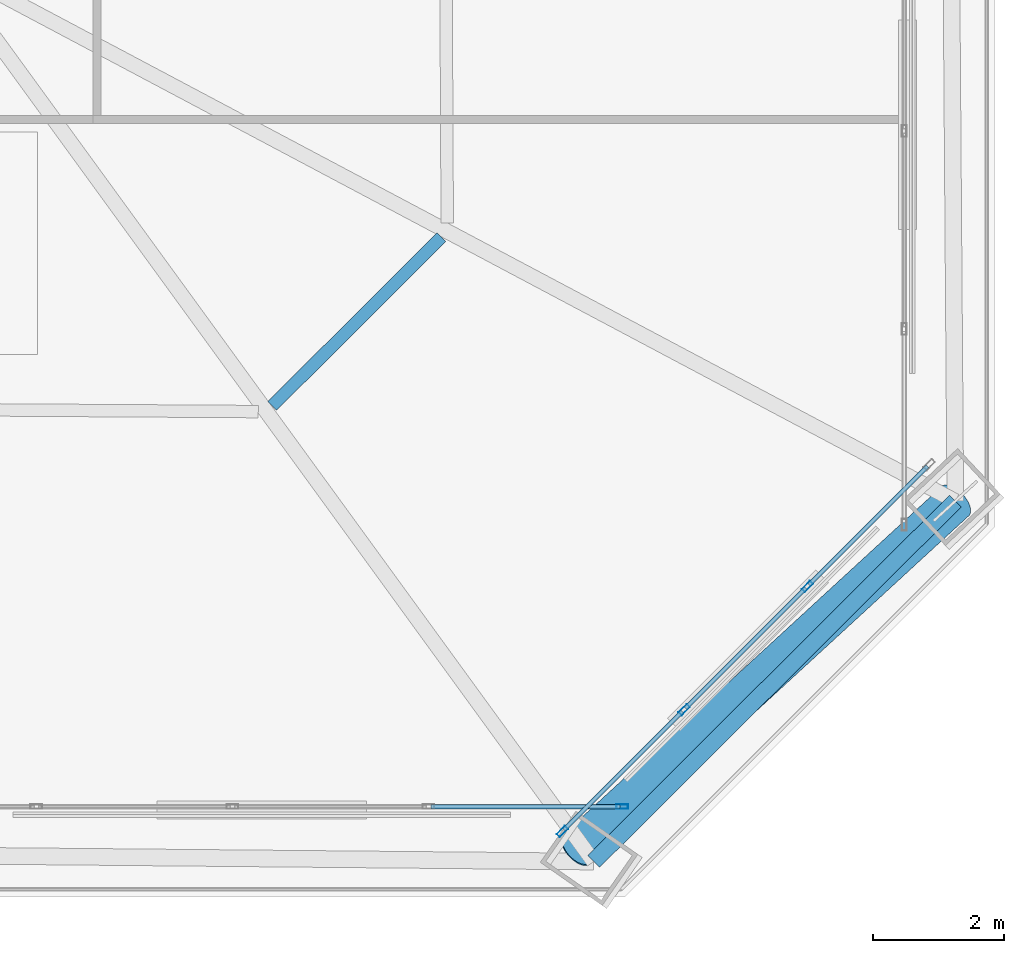
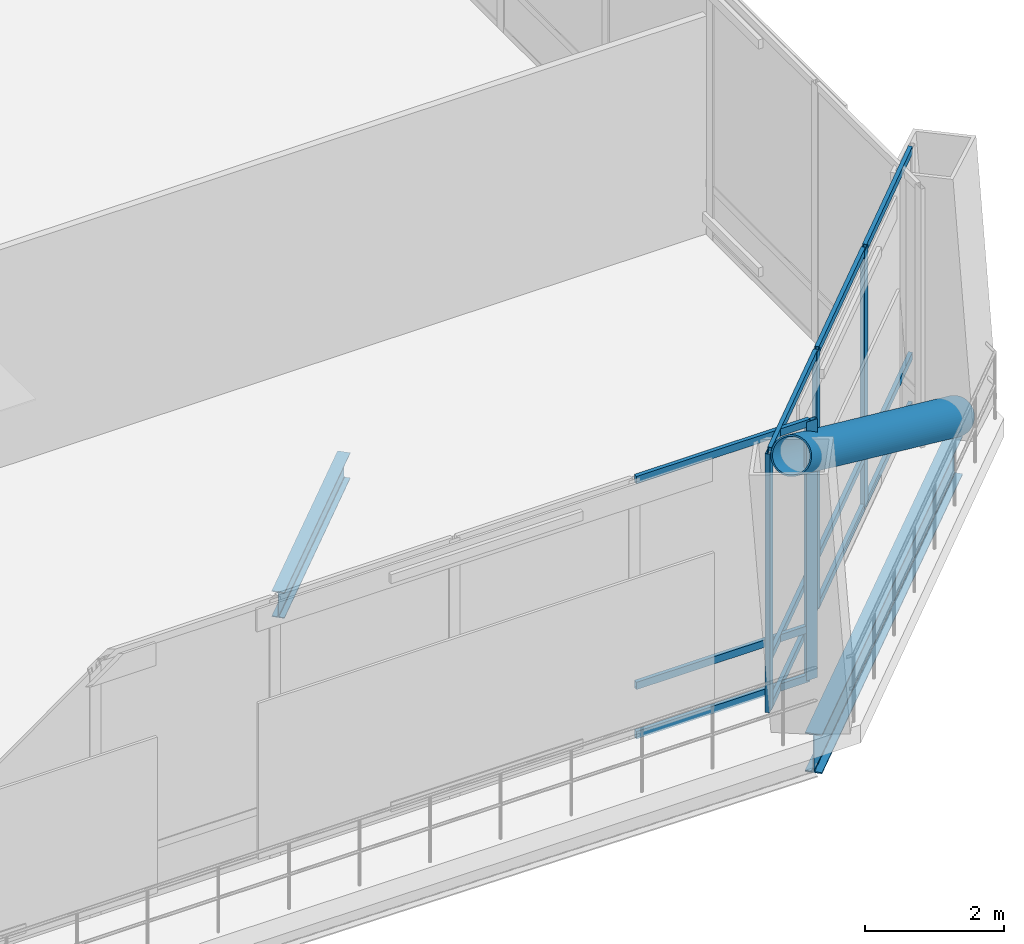
# One storey, part 20 of 48: 17 members, 2 beams, 2 elements without a shape of their own.
"""IFC4 building model written with IfcOpenShell, lengths in metres."""

from ifc_helpers import new_model, si_unit, direction, frame, origin, origin_2d, place, context, subcontext, project, spatial, hollow_rectangle, hollow_circle, i_section, extrude, material, layer, layer_set, material_profile, profile_set, type_object, element, aggregate, save


model = new_model("IFC4")

# Units and contexts
model_context = context("Model", 3, precision=1e-05, world=origin(), true_north=direction((0.0, 1.0)))
body_context = subcontext(model_context, "Body", "Model", "MODEL_VIEW")
ifc_project = project(units=[si_unit("LENGTHUNIT", "METRE"), si_unit("AREAUNIT", "SQUARE_METRE"), si_unit("VOLUMEUNIT", "CUBIC_METRE"), si_unit("PLANEANGLEUNIT", "RADIAN"), si_unit("MASSUNIT", "GRAM", prefix="KILO")], contexts=[model_context])

# Site, building, storey
site_placement = place(None, origin())
site = spatial("IfcSite", under=ifc_project, at=site_placement, CompositionType="ELEMENT")
building_placement = place(site_placement, origin())
building = spatial("IfcBuilding", under=site, at=building_placement, Name="Caelvoria Tower", CompositionType="ELEMENT")
storey_placement = place(building_placement, frame((0.0, 0.0, 90.39990234375)))
storey = spatial("IfcBuildingStorey", under=building, at=storey_placement, Name="L23", CompositionType="ELEMENT", Elevation=90.39990234375)

# Curtain wall, member
ifc_material_1 = material(Name="Anodised Bronze Aluminium and Low-E Glass", Category="aluminium")
ifc_layer = layer(ifc_material_1, 0.2099609375, Name="Anodised Bronze Aluminium and Low-E Glass")
ifc_layer_set = layer_set([ifc_layer], Name="CW System 3 Sky Lobby Double-Height Acoustic Facade - Anodised Bronze Aluminium and Low-E Glass")
curtain_wall_type = type_object("IfcCurtainWallType", Name="CW System 3 Sky Lobby Double-Height Acoustic Facade", PredefinedType="NOTDEFINED", material=ifc_layer_set)
curtain_wall_1_placement = place(storey_placement, origin())
curtain_wall_1 = element("IfcCurtainWall", 1, at=curtain_wall_1_placement, inside=storey, type_object=curtain_wall_type, Name="CW-03 Curtain Wall L23-E0", PredefinedType="NOTDEFINED")
ifc_material_2 = material(Name="Anodised Bronze Architectural Aluminium", Category="aluminium")
ifc_material_profile_1 = material_profile(ifc_material_2, hollow_rectangle(XDim=0.070068359375, YDim=0.179931640625, WallThickness=0.00390625, at=origin_2d()), Name="Anodised Bronze Architectural Aluminium")
ifc_profile_set_1 = profile_set([ifc_material_profile_1], Name="CW_MULL_70X180 - Anodised Bronze Architectural Aluminium")
member_type_1 = type_object("IfcMemberType", Name="Curtain Wall Mullion 70x180 Bronze Aluminium", PredefinedType="MULLION", material=ifc_profile_set_1)
member_1_placement = place(storey_placement, frame((65.431640625, 11.0966796875, 0.0), z_axis=(0.0, 0.0, 1.0), x_axis=(0.0, 1.0, 0.0)))
member_1 = element("IfcMember", 2, at=member_1_placement, type_object=member_type_1, Name="CW-03 mullion 14", PredefinedType="MULLION", context=body_context, shape_type="SweptSolid", body=[
    extrude(hollow_rectangle(XDim=0.070068359375, YDim=0.179931640625, WallThickness=0.00390625, at=origin_2d()), origin(), (0.0, 0.0, 1.0), 4.56005859375),
])

# Curtain wall, members
curtain_wall_2_placement = place(storey_placement, origin())
curtain_wall_2 = element("IfcCurtainWall", 3, at=curtain_wall_2_placement, inside=storey, type_object=curtain_wall_type, Name="CW-03 Curtain Wall L23-E1", PredefinedType="NOTDEFINED")
member_2_placement = place(storey_placement, frame((64.515625, 10.71728515625, 0.0), z_axis=(0.0, 0.0, 1.0), x_axis=(-0.707106781187, 0.707106781187, 0.0)))
member_2 = element("IfcMember", 4, at=member_2_placement, type_object=member_type_1, Name="CW-03 mullion 1", PredefinedType="MULLION", context=body_context, shape_type="SweptSolid", body=[
    extrude(hollow_rectangle(XDim=0.070068359375, YDim=0.179931640625, WallThickness=0.00390625, at=origin_2d()), origin(), (0.0, 0.0, 1.0), 4.56005859375),
])
member_3_placement = place(storey_placement, frame((66.374267578125, 12.575927734375, 0.0), z_axis=(0.0, 0.0, 1.0), x_axis=(-0.707106781187, 0.707106781187, 0.0)))
member_3 = element("IfcMember", 5, at=member_3_placement, type_object=member_type_1, Name="CW-03 mullion 2", PredefinedType="MULLION", context=body_context, shape_type="SweptSolid", body=[
    extrude(hollow_rectangle(XDim=0.070068359375, YDim=0.179931640625, WallThickness=0.00390625, at=origin_2d()), origin(), (0.0, 0.0, 1.0), 4.56005859375),
])
member_4_placement = place(storey_placement, frame((68.257568359375, 14.459228515625, 0.0), z_axis=(0.0, 0.0, 1.0), x_axis=(-0.707106781187, 0.707106781187, 0.0)))
member_4 = element("IfcMember", 6, at=member_4_placement, type_object=member_type_1, Name="CW-03 mullion 3", PredefinedType="MULLION", context=body_context, shape_type="SweptSolid", body=[
    extrude(hollow_rectangle(XDim=0.070068359375, YDim=0.179931640625, WallThickness=0.00390625, at=origin_2d()), origin(), (0.0, 0.0, 1.0), 4.56005859375),
])

# Member
ifc_material_profile_2 = material_profile(ifc_material_2, hollow_rectangle(XDim=0.06494140625, YDim=0.1298828125, WallThickness=0.00341796875, at=origin_2d()), Name="Anodised Bronze Architectural Aluminium")
ifc_profile_set_2 = profile_set([ifc_material_profile_2], Name="CW_TRAN_65X130 - Anodised Bronze Architectural Aluminium")
member_type_2 = type_object("IfcMemberType", Name="Curtain Wall Transom 65x130 Bronze Aluminium", PredefinedType="USERDEFINED", material=ifc_profile_set_2)
member_5_placement = place(storey_placement, frame((62.5068359375, 11.0966796875, 0.03271484375), z_axis=(1.0, 0.0, 0.0), x_axis=(0.0, 1.0, 0.0)))
member_5 = element("IfcMember", 7, at=member_5_placement, type_object=member_type_2, Name="CW-03 transom 13.1", ObjectType="TRANSOM", PredefinedType="USERDEFINED", context=body_context, shape_type="SweptSolid", body=[
    extrude(hollow_rectangle(XDim=0.06494140625, YDim=0.1298828125, WallThickness=0.00341796875, at=origin_2d()), origin(), (0.0, 0.0, 1.0), 2.889892578125),
])

member_6_placement = place(storey_placement, frame((62.5068359375, 11.0966796875, 0.900146484375), z_axis=(1.0, 0.0, 0.0), x_axis=(0.0, 1.0, 0.0)))
member_6 = element("IfcMember", 8, at=member_6_placement, type_object=member_type_2, Name="CW-03 transom 13.2", ObjectType="TRANSOM", PredefinedType="USERDEFINED", context=body_context, shape_type="SweptSolid", body=[
    extrude(hollow_rectangle(XDim=0.06494140625, YDim=0.1298828125, WallThickness=0.00341796875, at=origin_2d()), origin(), (0.0, 0.0, 1.0), 2.889892578125),
])

member_7_placement = place(storey_placement, frame((62.5068359375, 11.0966796875, 4.527587890625), z_axis=(1.0, 0.0, 0.0), x_axis=(0.0, 1.0, 0.0)))
member_7 = element("IfcMember", 9, at=member_7_placement, type_object=member_type_2, Name="CW-03 transom 13.3", ObjectType="TRANSOM", PredefinedType="USERDEFINED", context=body_context, shape_type="SweptSolid", body=[
    extrude(hollow_rectangle(XDim=0.06494140625, YDim=0.1298828125, WallThickness=0.00341796875, at=origin_2d()), origin(), (0.0, 0.0, 1.0), 2.889892578125),
])

aggregate(curtain_wall_1, [member_1, member_5, member_6, member_7])

member_8_placement = place(storey_placement, frame((64.540283203125, 10.741943359375, 0.03271484375), z_axis=(0.707106781187, 0.707106781187, 0.0), x_axis=(-0.707106781187, 0.707106781187, 0.0)))
member_8 = element("IfcMember", 10, at=member_8_placement, type_object=member_type_2, Name="CW-03 transom 1.1", ObjectType="TRANSOM", PredefinedType="USERDEFINED", context=body_context, shape_type="SweptSolid", body=[
    extrude(hollow_rectangle(XDim=0.06494140625, YDim=0.1298828125, WallThickness=0.00341796875, at=origin_2d()), origin(), (0.0, 0.0, 1.0), 2.558349609375),
])

member_9_placement = place(storey_placement, frame((64.540283203125, 10.741943359375, 0.900146484375), z_axis=(0.707106781187, 0.707106781187, 0.0), x_axis=(-0.707106781187, 0.707106781187, 0.0)))
member_9 = element("IfcMember", 11, at=member_9_placement, type_object=member_type_2, Name="CW-03 transom 1.2", ObjectType="TRANSOM", PredefinedType="USERDEFINED", context=body_context, shape_type="SweptSolid", body=[
    extrude(hollow_rectangle(XDim=0.06494140625, YDim=0.1298828125, WallThickness=0.00341796875, at=origin_2d()), origin(), (0.0, 0.0, 1.0), 2.558349609375),
])

member_10_placement = place(storey_placement, frame((64.540283203125, 10.741943359375, 4.527587890625), z_axis=(0.707106781187, 0.707106781187, 0.0), x_axis=(-0.707106781187, 0.707106781187, 0.0)))
member_10 = element("IfcMember", 12, at=member_10_placement, type_object=member_type_2, Name="CW-03 transom 1.3", ObjectType="TRANSOM", PredefinedType="USERDEFINED", context=body_context, shape_type="SweptSolid", body=[
    extrude(hollow_rectangle(XDim=0.06494140625, YDim=0.1298828125, WallThickness=0.00341796875, at=origin_2d()), origin(), (0.0, 0.0, 1.0), 2.558349609375),
])

member_11_placement = place(storey_placement, frame((66.39892578125, 12.6005859375, 0.03271484375), z_axis=(0.707153847901, 0.707059711339, 0.0), x_axis=(-0.707059711339, 0.707153847901, 0.0)))
member_11 = element("IfcMember", 13, at=member_11_placement, type_object=member_type_2, Name="CW-03 transom 2.1", ObjectType="TRANSOM", PredefinedType="USERDEFINED", context=body_context, shape_type="SweptSolid", body=[
    extrude(hollow_rectangle(XDim=0.06494140625, YDim=0.1298828125, WallThickness=0.00341796875, at=origin_2d()), origin(), (0.0, 0.0, 1.0), 2.593505859375),
])

member_12_placement = place(storey_placement, frame((66.39892578125, 12.6005859375, 0.900146484375), z_axis=(0.707153847901, 0.707059711339, 0.0), x_axis=(-0.707059711339, 0.707153847901, 0.0)))
member_12 = element("IfcMember", 14, at=member_12_placement, type_object=member_type_2, Name="CW-03 transom 2.2", ObjectType="TRANSOM", PredefinedType="USERDEFINED", context=body_context, shape_type="SweptSolid", body=[
    extrude(hollow_rectangle(XDim=0.06494140625, YDim=0.1298828125, WallThickness=0.00341796875, at=origin_2d()), origin(), (0.0, 0.0, 1.0), 2.593505859375),
])

member_13_placement = place(storey_placement, frame((66.39892578125, 12.6005859375, 4.527587890625), z_axis=(0.707153847901, 0.707059711339, 0.0), x_axis=(-0.707059711339, 0.707153847901, 0.0)))
member_13 = element("IfcMember", 15, at=member_13_placement, type_object=member_type_2, Name="CW-03 transom 2.3", ObjectType="TRANSOM", PredefinedType="USERDEFINED", context=body_context, shape_type="SweptSolid", body=[
    extrude(hollow_rectangle(XDim=0.06494140625, YDim=0.1298828125, WallThickness=0.00341796875, at=origin_2d()), origin(), (0.0, 0.0, 1.0), 2.593505859375),
])

member_14_placement = place(storey_placement, frame((68.2822265625, 14.48388671875, 0.03271484375), z_axis=(0.707106781187, 0.707106781187, 0.0), x_axis=(-0.707106781187, 0.707106781187, 0.0)))
member_14 = element("IfcMember", 16, at=member_14_placement, type_object=member_type_2, Name="CW-03 transom 3.1", ObjectType="TRANSOM", PredefinedType="USERDEFINED", context=body_context, shape_type="SweptSolid", body=[
    extrude(hollow_rectangle(XDim=0.06494140625, YDim=0.1298828125, WallThickness=0.00341796875, at=origin_2d()), origin(), (0.0, 0.0, 1.0), 2.558349609375),
])

member_15_placement = place(storey_placement, frame((68.2822265625, 14.48388671875, 0.900146484375), z_axis=(0.707106781187, 0.707106781187, 0.0), x_axis=(-0.707106781187, 0.707106781187, 0.0)))
member_15 = element("IfcMember", 17, at=member_15_placement, type_object=member_type_2, Name="CW-03 transom 3.2", ObjectType="TRANSOM", PredefinedType="USERDEFINED", context=body_context, shape_type="SweptSolid", body=[
    extrude(hollow_rectangle(XDim=0.06494140625, YDim=0.1298828125, WallThickness=0.00341796875, at=origin_2d()), origin(), (0.0, 0.0, 1.0), 2.558349609375),
])

member_16_placement = place(storey_placement, frame((68.2822265625, 14.48388671875, 4.527587890625), z_axis=(0.707106781187, 0.707106781187, 0.0), x_axis=(-0.707106781187, 0.707106781187, 0.0)))
member_16 = element("IfcMember", 18, at=member_16_placement, type_object=member_type_2, Name="CW-03 transom 3.3", ObjectType="TRANSOM", PredefinedType="USERDEFINED", context=body_context, shape_type="SweptSolid", body=[
    extrude(hollow_rectangle(XDim=0.06494140625, YDim=0.1298828125, WallThickness=0.00341796875, at=origin_2d()), origin(), (0.0, 0.0, 1.0), 2.558349609375),
])

aggregate(curtain_wall_2, [member_2, member_3, member_4, member_8, member_9, member_10, member_11, member_12, member_13, member_14, member_15, member_16])

ifc_material_3 = material(Name="Structural Steel ASTM A572 Gr.50", Category="steel")
ifc_material_profile_3 = material_profile(ifc_material_3, hollow_circle(Radius=0.304931640625, WallThickness=0.02490234375, at=origin_2d()), Name="Structural Steel ASTM A572 Gr.50")
ifc_profile_set_3 = profile_set([ifc_material_profile_3], Name="CHS610X25 - Structural Steel ASTM A572 Gr.50")
member_type_3 = type_object("IfcMemberType", Name="Lower Perimeter Mega Brace CHS610X25", PredefinedType="BRACE", material=ifc_profile_set_3)
member_17_placement = place(storey_placement, frame((70.516357421875, 15.76416015625, 0.0), z_axis=(-0.636876415462, -0.585383708232, 0.501711416618), x_axis=(0.676716743092, -0.736243471698, 0.0)))
element("IfcMember", 19, at=member_17_placement, inside=storey, type_object=member_type_3, Name="Perimeter Chamfer Mega Brace L23 SE", PredefinedType="BRACE", context=body_context, shape_type="SweptSolid", body=[
    extrude(hollow_circle(Radius=0.304931640625, WallThickness=0.02490234375, at=origin_2d()), origin(), (0.0, 0.0, 1.0), 9.089111328125),
])

# Beams
ifc_material_4 = material(Name="Structural Steel ASTM A992 Gr.50", Category="steel")
ifc_material_profile_4 = material_profile(ifc_material_4, i_section(OverallWidth=0.25390625, OverallDepth=0.68798828125, WebThickness=0.01318359375, FlangeThickness=0.02099609375, FilletRadius=0.01904296875, at=origin_2d()), Name="Structural Steel ASTM A992 Gr.50")
ifc_profile_set_4 = profile_set([ifc_material_profile_4], Name="W690X152 - Structural Steel ASTM A992 Gr.50")
beam_type_1 = type_object("IfcBeamType", Name="Perimeter Spandrel Girder W690X152", PredefinedType="BEAM", material=ifc_profile_set_4)
beam_1_placement = place(storey_placement, frame((64.992919921875, 10.2587890625, -0.663818359375), z_axis=(0.708264149892, 0.705947515031, 0.0), x_axis=(-0.705947515031, 0.708264149892, 0.0)))
element("IfcBeam", 20, at=beam_1_placement, inside=storey, type_object=beam_type_1, Name="Perimeter Spandrel Girder L23-02", PredefinedType="BEAM", context=body_context, shape_type="SweptSolid", body=[
    extrude(i_section(OverallWidth=0.25390625, OverallDepth=0.68798828125, WebThickness=0.01318359375, FlangeThickness=0.02099609375, FilletRadius=0.01904296875, at=origin_2d()), origin(), (0.0, 0.0, 1.0), 7.798583984375),
])
ifc_material_profile_5 = material_profile(ifc_material_4, i_section(OverallWidth=0.18994140625, OverallDepth=0.45703125, WebThickness=0.009033203125, FlangeThickness=0.014404296875, FilletRadius=0.014892578125, at=origin_2d()), Name="Structural Steel ASTM A992 Gr.50")
ifc_profile_set_5 = profile_set([ifc_material_profile_5], Name="W460X74 - Structural Steel ASTM A992 Gr.50")
beam_type_2 = type_object("IfcBeamType", Name="Secondary Floor Beam W460X74", PredefinedType="BEAM", material=ifc_profile_set_5)
beam_2_placement = place(storey_placement, frame((60.0849609375, 17.217529296875, -0.54833984375), z_axis=(0.708243123009, 0.705968610287, 0.0), x_axis=(-0.705968610287, 0.708243123009, 0.0)))
element("IfcBeam", 21, at=beam_2_placement, inside=storey, type_object=beam_type_2, Name="Secondary Floor Beam L23-02", PredefinedType="BEAM", context=body_context, shape_type="SweptSolid", body=[
    extrude(i_section(OverallWidth=0.18994140625, OverallDepth=0.45703125, WebThickness=0.009033203125, FlangeThickness=0.014404296875, FilletRadius=0.014892578125, at=origin_2d()), origin(), (0.0, 0.0, 1.0), 3.6494140625),
])

save(model, "model.ifc")
